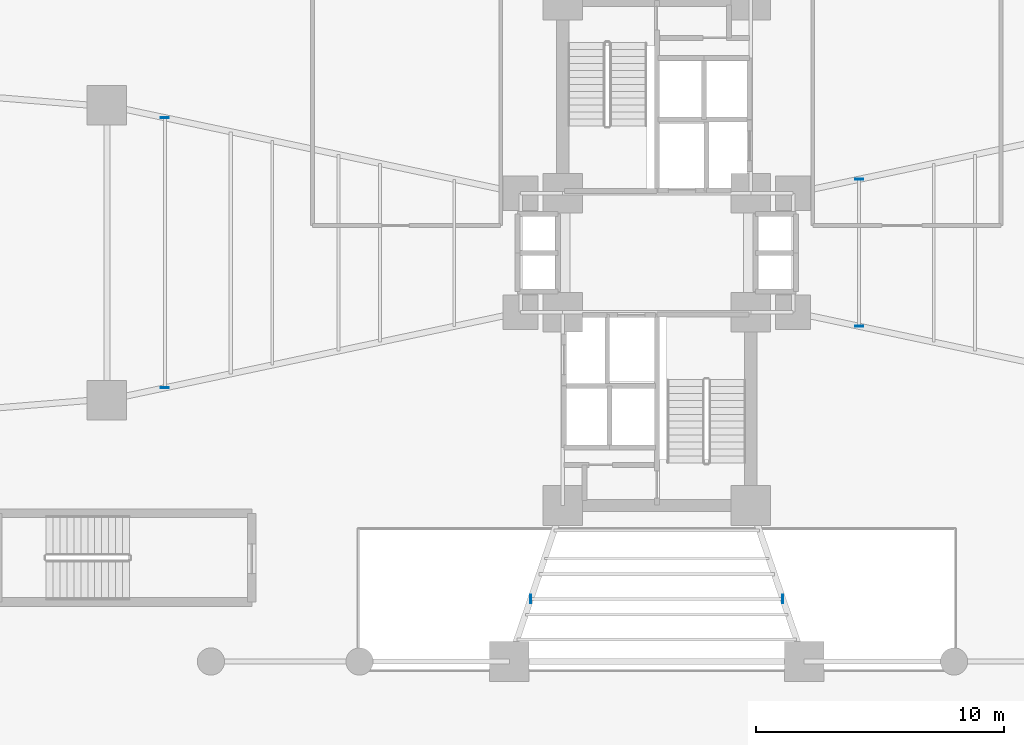
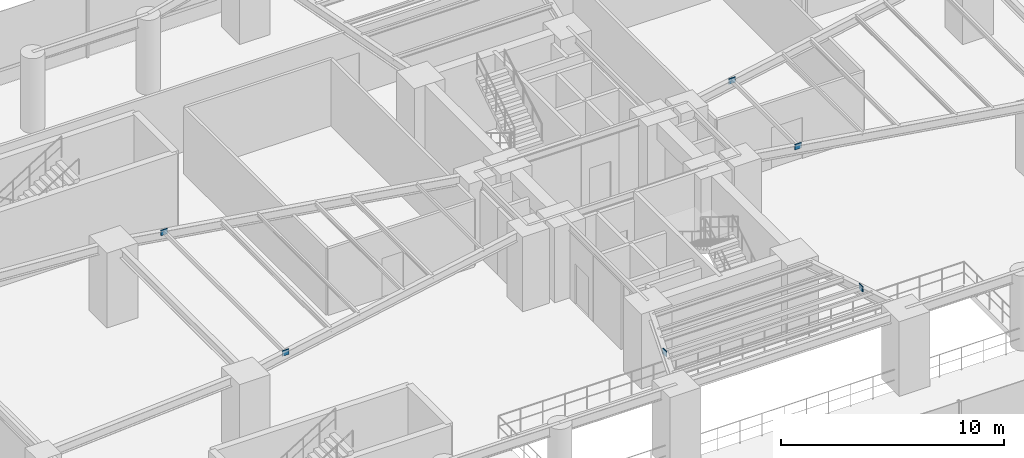
# One storey, part 14 of 23: 6 plates.
"""IFC4 building model written with IfcOpenShell, lengths in metres."""

from ifc_helpers import new_model, si_unit, direction, frame, origin, origin_2d, place, context, subcontext, project, spatial, rectangle, extrude, source, transform, mapped, material, type_object, element, save


model = new_model("IFC4")

# Units and contexts
model_context = context("Model", 3, precision=1e-05, world=origin(), true_north=direction((0.0, 1.0)))
body_context = subcontext(model_context, "Body", "Model", "MODEL_VIEW")
ifc_project = project(units=[si_unit("LENGTHUNIT", "METRE"), si_unit("AREAUNIT", "SQUARE_METRE"), si_unit("VOLUMEUNIT", "CUBIC_METRE"), si_unit("PLANEANGLEUNIT", "RADIAN"), si_unit("MASSUNIT", "GRAM", prefix="KILO")], contexts=[model_context])

# Site, building, storey
site_placement = place(None, origin())
site = spatial("IfcSite", under=ifc_project, at=site_placement, CompositionType="ELEMENT")
building_placement = place(site_placement, origin())
building = spatial("IfcBuilding", under=site, at=building_placement, Name="Sahyath Konkavel Grand Hotel", CompositionType="ELEMENT")
storey_placement = place(building_placement, frame((0.0, 0.0, 4.800048828125)))
storey = spatial("IfcBuildingStorey", under=building, at=storey_placement, Name="L01", CompositionType="ELEMENT", Elevation=4.800048828125)

# Plates
ifc_material = material(Name="Steel E450", Category="steel")
plate_type = type_object("IfcPlateType", Name="GUSSET-END-35", PredefinedType="USERDEFINED", material=ifc_material)
shared_shape = source(origin(), body_context, "Body", "SweptSolid", [
    extrude(rectangle(XDim=0.0400390625, YDim=0.340087890625, at=origin_2d()), origin(), (0.0, 0.0, 1.0), 0.300048828125),
])
for number, where, z_axis, x_axis, name in (
    (1, (8.172119140625, -2.968017578125, 3.83984375), (0.0, 0.0, 1.0), (0.0, 1.0, 0.0), "L01 Sub-Beam E-1 End Cap A"),
    (2, (8.172119140625, 2.968017578125, 3.83984375), (0.0, 0.0, 1.0), (0.0, 1.0, 0.0), "L01 Sub-Beam E-1 End Cap B"),
    (3, (-19.862060546875, 5.452880859375, 3.83984375), (0.0, 0.0, 1.0), (0.0, -1.0, 0.0), "L01 Sub-Beam W-6 End Cap A"),
    (4, (-19.862060546875, -5.452880859375, 3.83984375), (0.0, 0.0, 1.0), (0.0, -1.0, 0.0), "L01 Sub-Beam W-6 End Cap B"),
    (5, (-5.090087890625, -13.97998046875, 3.83984375), (0.0, 0.0, 1.0), (1.0, 0.0, 0.0), "L01 Sub-Beam S-4 End Cap A"),
    (6, (5.090087890625, -13.97998046875, 3.83984375), (0.0, 0.0, 1.0), (1.0, 0.0, 0.0), "L01 Sub-Beam S-4 End Cap B"),
):
    element("IfcPlate", number, at=place(storey_placement, frame(where, z_axis=z_axis, x_axis=x_axis)), inside=storey, type_object=plate_type, Name=name, ObjectType="GUSSET_PLATE", PredefinedType="USERDEFINED", context=body_context, shape_type="MappedRepresentation", body=[
        mapped(shared_shape, transform((0.0, 0.0, 0.0), scale=1.0)),
    ])

save(model, "model.ifc")
